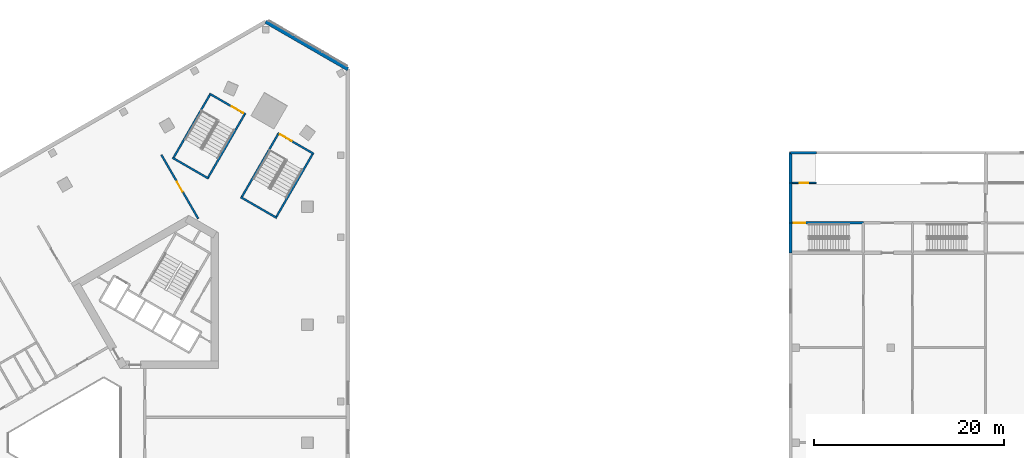
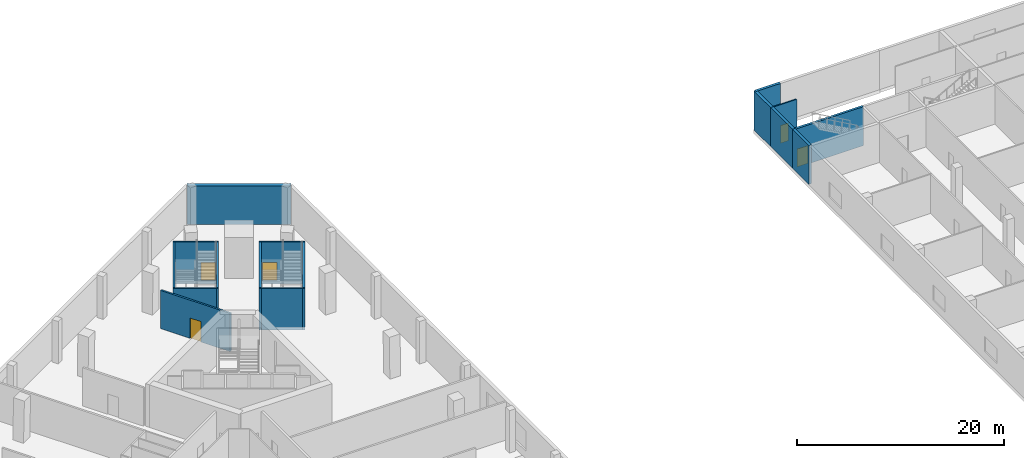
# One storey, part 15 of 36: 16 walls, 5 doors, 5 openings.
"""IFC4 building model written with IfcOpenShell, lengths in metres."""

import ifcopenshell
import ifcopenshell.guid

model = None  # the IFC model being written
_history = None  # IfcOwnerHistory: only IFC2X3 demands one
_inside = {}  # id of a spatial element -> (the spatial element, [elements in it])
_under = {}  # id of a project, library or spatial element -> (it, [spatial elements below it])
_declared = {}  # id of a project -> (the project, [libraries it declares])
_typed = {}  # id of a type object -> (the type object, [elements of that type])
_made_of = {}  # id of a material, layer set ... -> (it, [elements and type objects made of it])


def new_model(schema):
    """Start an empty IFC model of exactly this schema.

    Asked for "IFC4X3", IfcOpenShell would pick the latest addendum, in which some entities
    have other attributes; the version numbers below select the first issue.
    IFC2X3 requires an IfcOwnerHistory on every rooted entity: one is made here for all.
    """
    global model, _history
    if schema == "IFC4X3":
        model = ifcopenshell.file(schema_version=(4, 3, 0, 0))
    else:
        model = ifcopenshell.file(schema=schema)
    _inside.clear()
    _under.clear()
    _declared.clear()
    _typed.clear()
    _made_of.clear()
    _history = None
    if model.schema == "IFC2X3":
        org = make("IfcOrganization", Name="unknown")
        user = make(
            "IfcPersonAndOrganization",
            ThePerson=make("IfcPerson", FamilyName="unknown"),
            TheOrganization=org,
        )
        app = make(
            "IfcApplication",
            ApplicationDeveloper=org,
            Version="unknown",
            ApplicationFullName="unknown",
            ApplicationIdentifier="unknown",
        )
        _history = make(
            "IfcOwnerHistory",
            OwningUser=user,
            OwningApplication=app,
            ChangeAction="ADDED",
            CreationDate=0,
        )
    return model


def make(cls, **values):
    """One entity of the class cls with the attributes given. An attribute that is None is left unset."""
    return model.create_entity(
        cls, **{name: value for name, value in values.items() if value is not None}
    )


def rooted(cls, **values):
    """An entity with a GlobalId (a new one), such as an element, a storey or a relation."""
    return make(cls, GlobalId=ifcopenshell.guid.new(), OwnerHistory=_history, **values)


def si_unit(unit_type, name, prefix=None):
    """IfcSIUnit, for example si_unit("LENGTHUNIT", "METRE", prefix="MILLI")."""
    return make("IfcSIUnit", UnitType=unit_type, Prefix=prefix, Name=name)


def assignment(units):
    """IfcUnitAssignment: the units of a project."""
    return None if units is None else make("IfcUnitAssignment", Units=units)


def point(xyz):
    """IfcCartesianPoint."""
    return None if xyz is None else make("IfcCartesianPoint", Coordinates=xyz)


def direction(xyz):
    """IfcDirection."""
    return None if xyz is None else make("IfcDirection", DirectionRatios=xyz)


def frame(location, z_axis=None, x_axis=None):
    """IfcAxis2Placement3D, a coordinate frame: its origin and axes. An axis left out is left unset."""
    return make(
        "IfcAxis2Placement3D",
        Location=point(location),
        Axis=direction(z_axis),
        RefDirection=direction(x_axis),
    )


def frame_2d(location, x_axis=None):
    """IfcAxis2Placement2D, a coordinate frame in the plane: its origin and x axis."""
    return make(
        "IfcAxis2Placement2D", Location=point(location), RefDirection=direction(x_axis)
    )


def origin():
    """The frame at (0, 0, 0) with its axes left unset."""
    return frame((0.0, 0.0, 0.0))


def place(relative_to, where):
    """IfcLocalPlacement: puts the frame where relative to a parent placement (None: the world)."""
    return make(
        "IfcLocalPlacement", PlacementRelTo=relative_to, RelativePlacement=where
    )


def context(
    kind, dimensions, precision=None, world=None, true_north=None, identifier=None
):
    """IfcGeometricRepresentationContext, for example the 3D "Model" context."""
    return make(
        "IfcGeometricRepresentationContext",
        ContextIdentifier=identifier,
        ContextType=kind,
        CoordinateSpaceDimension=dimensions,
        Precision=precision,
        WorldCoordinateSystem=world,
        TrueNorth=true_north,
    )


def subcontext(parent, identifier, kind, view, scale=None):
    """IfcGeometricRepresentationSubContext, for example "Body" below "Model"."""
    return make(
        "IfcGeometricRepresentationSubContext",
        ContextIdentifier=identifier,
        ContextType=kind,
        ParentContext=parent,
        TargetScale=scale,
        TargetView=view,
    )


def project(units=None, contexts=None):
    """IfcProject with its units and contexts."""
    return rooted(
        "IfcProject",
        Name="project",
        RepresentationContexts=contexts,
        UnitsInContext=assignment(units),
    )


def spatial(cls, under=None, at=None, **own):
    """A site, building, storey or space (cls), placed at a placement, below another one or the project."""
    s = rooted(cls, ObjectPlacement=at, **own)
    if under is not None:
        _under.setdefault(under.id(), (under, []))[1].append(s)
    return s


def profile(cls, at=None, kind="AREA", **sizes):
    """A parametric profile (cls). Its sizes go by their IFC names, for example OverallWidth=200.0."""
    return make(cls, ProfileType=kind, Position=at, **sizes)


def rectangle(**sizes):
    """IfcRectangleProfileDef."""
    return profile("IfcRectangleProfileDef", **sizes)


def extrude(swept, where, along, depth):
    """IfcExtrudedAreaSolid: the profile swept, set in the frame where, extruded along a direction by depth."""
    return make(
        "IfcExtrudedAreaSolid",
        SweptArea=swept,
        Position=where,
        ExtrudedDirection=direction(along),
        Depth=depth,
    )


def shape(context_of_items, identifier, shape_type, items):
    """IfcShapeRepresentation: the items that make up one representation, for example the "Body"."""
    return make(
        "IfcShapeRepresentation",
        ContextOfItems=context_of_items,
        RepresentationIdentifier=identifier,
        RepresentationType=shape_type,
        Items=items,
    )


def material(Name=None, Category=None):
    """IfcMaterial."""
    return make("IfcMaterial", Name=Name, Category=Category)


def layer(
    of_material, thickness, ventilated=None, Name=None, Category=None, Priority=None
):
    """IfcMaterialLayer: one layer of a wall or slab, of a material (None: an air gap)."""
    return make(
        "IfcMaterialLayer",
        Material=of_material,
        LayerThickness=thickness,
        IsVentilated=ventilated,
        Name=Name,
        Category=Category,
        Priority=Priority,
    )


def layer_set(layers, Name=None):
    """IfcMaterialLayerSet."""
    return make("IfcMaterialLayerSet", MaterialLayers=layers, LayerSetName=Name)


def made_of(thing, what):
    """Note that an element or type object is made of a material, layer set ...; save() writes the relation."""
    if what is not None:
        _made_of.setdefault(what.id(), (what, []))[1].append(thing)
    return thing


def type_object(cls, material=None, **own):
    """A type object (cls), such as IfcWallType, which elements share."""
    return made_of(rooted(cls, **own), material)


def element(
    cls,
    number,
    at=None,
    inside=None,
    cuts=None,
    type_object=None,
    material=None,
    context=None,
    identifier="Body",
    shape_type=None,
    held_by="IfcProductDefinitionShape",
    body=None,
    shapes=None,
    **own,
):
    """One element of the class cls, such as IfcWall. Its Tag is "e" and its number.

    at: its placement. inside: the storey or other place that contains it. cuts: it is an
    opening in that element (IfcRelVoidsElement). A single representation is given by context,
    identifier, shape_type and body (its items); several are given by shapes. held_by: the class
    of the entity that holds the representations. save() writes the other relations.
    """
    e = rooted(cls, Tag="e%d" % number, ObjectPlacement=at, **own)
    if body is not None:
        shapes = [shape(context, identifier, shape_type, body)]
    if shapes is not None:
        e.Representation = make(held_by, Representations=shapes)
    if inside is not None:
        _inside.setdefault(inside.id(), (inside, []))[1].append(e)
    if cuts is not None:
        rooted(
            "IfcRelVoidsElement", RelatingBuildingElement=cuts, RelatedOpeningElement=e
        )
    if type_object is not None:
        _typed.setdefault(type_object.id(), (type_object, []))[1].append(e)
    return made_of(e, material)


def fill(opening, filler):
    """IfcRelFillsElement: the door or window that sits in an opening."""
    return rooted(
        "IfcRelFillsElement",
        RelatingOpeningElement=opening,
        RelatedBuildingElement=filler,
    )


def aggregate(whole, parts):
    """IfcRelAggregates: a whole, such as a stair, and the parts it consists of."""
    return rooted("IfcRelAggregates", RelatingObject=whole, RelatedObjects=parts)


def save(model, path):
    """Write the relations noted so far, then the file.

    IfcRelAggregates (storeys below a building ...), IfcRelContainedInSpatialStructure (elements
    in a storey), IfcRelDefinesByType, IfcRelAssociatesMaterial and IfcRelDeclares: one each for
    every whole, place, type object, material and project.
    """
    for whole, parts in _under.values():
        aggregate(whole, parts)
    for where, things in _inside.values():
        rooted(
            "IfcRelContainedInSpatialStructure",
            RelatedElements=things,
            RelatingStructure=where,
        )
    for kind, things in _typed.values():
        rooted("IfcRelDefinesByType", RelatedObjects=things, RelatingType=kind)
    for what, things in _made_of.values():
        rooted("IfcRelAssociatesMaterial", RelatedObjects=things, RelatingMaterial=what)
    for by, libraries in _declared.values():
        rooted("IfcRelDeclares", RelatingContext=by, RelatedDefinitions=libraries)
    model.write(path)


model = new_model("IFC4")

# Units and contexts
model_context = context("Model", 3, precision=1e-05, world=origin(), true_north=direction((0.0, 1.0)))
body_context = subcontext(model_context, "Body", "Model", "MODEL_VIEW")
ifc_project = project(units=[si_unit("LENGTHUNIT", "METRE"), si_unit("AREAUNIT", "SQUARE_METRE"), si_unit("VOLUMEUNIT", "CUBIC_METRE"), si_unit("PLANEANGLEUNIT", "RADIAN"), si_unit("MASSUNIT", "GRAM", prefix="KILO")], contexts=[model_context])

# Site, building, storey
site_placement = place(None, origin())
site = spatial("IfcSite", under=ifc_project, at=site_placement, CompositionType="ELEMENT")
building_placement = place(site_placement, origin())
building = spatial("IfcBuilding", under=site, at=building_placement, Name="Jabali Bay Hotel Tower and Convention Centre", CompositionType="ELEMENT")
storey_placement = place(building_placement, frame((0.0, 0.0, 20.39990234375)))
storey = spatial("IfcBuildingStorey", under=building, at=storey_placement, Name="L03", CompositionType="ELEMENT", Elevation=20.39990234375)

# Walls
ifc_material_1 = material(Name="Concrete C40", Category="concrete")
ifc_layer_1 = layer(ifc_material_1, 0.300048828125)
ifc_layer_set_1 = layer_set([ifc_layer_1], Name="Concrete C40")
wall_type_1 = type_object("IfcWallType", Name="CC External Wall 300", PredefinedType="SOLIDWALL", material=ifc_layer_set_1)
wall_1_placement = place(storey_placement, frame((150.14990234375, 110.550048828125, 0.0), z_axis=(0.0, 0.0, 1.0), x_axis=(1.0, 0.0, 0.0)))
element("IfcWall", 1, at=wall_1_placement, inside=storey, type_object=wall_type_1, Name="CC wall 165", PredefinedType="SOLIDWALL", context=body_context, shape_type="SweptSolid", body=[
    extrude(rectangle(XDim=2.72509765625, YDim=0.300048828125, at=frame_2d((1.362548828125, 0.0))), origin(), (0.0, 0.0, 1.0), 4.590087890625),
])
wall_2_placement = place(storey_placement, frame((150.14990234375, 107.375, 0.0), z_axis=(0.0, 0.0, 1.0), x_axis=(0.0, 1.0, 0.0)))
element("IfcWall", 2, at=wall_2_placement, inside=storey, type_object=wall_type_1, Name="CC wall 166", PredefinedType="SOLIDWALL", context=body_context, shape_type="SweptSolid", body=[
    extrude(rectangle(XDim=3.175048828125, YDim=0.300048828125, at=frame_2d((1.58740234375, 0.0))), origin(), (0.0, 0.0, 1.0), 4.590087890625),
])
wall_3_placement = place(storey_placement, frame((150.14990234375, 100.0, 0.0), z_axis=(0.0, 0.0, 1.0), x_axis=(0.0, 1.0, 0.0)))
element("IfcWall", 3, at=wall_3_placement, inside=storey, type_object=wall_type_1, Name="CC wall 308", PredefinedType="SOLIDWALL", context=body_context, shape_type="SweptSolid", body=[
    extrude(rectangle(XDim=3.14990234375, YDim=0.300048828125, at=frame_2d((1.574951171875, 0.0))), origin(), (0.0, 0.0, 1.0), 4.590087890625),
])
wall_4_placement = place(storey_placement, frame((150.14990234375, 103.14990234375, 0.0), z_axis=(0.0, 0.0, 1.0), x_axis=(0.0, 1.0, 0.0)))
element("IfcWall", 4, at=wall_4_placement, inside=storey, type_object=wall_type_1, Name="CC wall 309", PredefinedType="SOLIDWALL", context=body_context, shape_type="SweptSolid", body=[
    extrude(rectangle(XDim=4.22509765625, YDim=0.300048828125, at=frame_2d((2.112548828125, 0.0))), origin(), (0.0, 0.0, 1.0), 4.590087890625),
])

# Wall, opening, door
ifc_material_2 = material(Name="Blockwork M10", Category="masonry")
ifc_layer_2 = layer(ifc_material_2, 0.14990234375)
ifc_layer_set_2 = layer_set([ifc_layer_2], Name="Blockwork M10")
wall_type_2 = type_object("IfcWallType", Name="CC Partition 150", PredefinedType="PARTITIONING", material=ifc_layer_set_2)
wall_5_placement = place(storey_placement, frame((150.300048828125, 107.375, 0.0), z_axis=(0.0, 0.0, 1.0), x_axis=(1.0, 0.0, 0.0)))
wall_5 = element("IfcWall", 5, at=wall_5_placement, inside=storey, type_object=wall_type_2, Name="CC wall 164", PredefinedType="PARTITIONING", context=body_context, shape_type="SweptSolid", body=[
    extrude(rectangle(XDim=2.574951171875, YDim=0.14990234375, at=frame_2d((1.28759765625, 0.0))), origin(), (0.0, 0.0, 1.0), 4.590087890625),
])
opening_1_placement = place(wall_5_placement, frame((0.800048828125, 0.0, 0.0)))
opening_1 = element("IfcOpeningElement", 6, at=opening_1_placement, cuts=wall_5, Name="Opening CC-D162", PredefinedType="OPENING", context=body_context, shape_type="SweptSolid", body=[
    extrude(rectangle(XDim=0.89990234375, YDim=2.10009765625, at=frame_2d((0.449951171875, 1.050048828125))), frame((0.0, 0.08544921875, 0.0), z_axis=(0.0, -1.0, 0.0), x_axis=(1.0, 0.0, 0.0)), (0.0, 0.0, 1.0), 0.1708984375),
])
ifc_material_3 = material(Name="Timber and steel door set", Category="steel")
door_type_1 = type_object("IfcDoorType", Name="CC Riser Door 900x2100", OperationType="NOTDEFINED", PredefinedType="DOOR", material=ifc_material_3)
door_1_placement = place(opening_1_placement, origin())
door_1 = element("IfcDoor", 7, at=door_1_placement, inside=storey, type_object=door_type_1, Name="CC door CC-D162", OperationType="SINGLE_SWING_RIGHT", OverallHeight=2.10009765625, OverallWidth=0.89990234375, PredefinedType="DOOR", context=body_context, shape_type="SweptSolid", body=[
    extrude(rectangle(XDim=0.89990234375, YDim=2.10009765625, at=frame_2d((0.449951171875, 1.050048828125))), frame((0.0, 0.02490234375, 0.0), z_axis=(0.0, -1.0, 0.0), x_axis=(1.0, 0.0, 0.0)), (0.0, 0.0, 1.0), 0.050048828125),
])
fill(opening_1, door_1)

ifc_layer_3 = layer(ifc_material_1, 0.25)
ifc_layer_set_3 = layer_set([ifc_layer_3], Name="Concrete C40")
wall_type_3 = type_object("IfcWallType", Name="CC Shaft Wall 250", PredefinedType="SHEAR", material=ifc_layer_set_3)
wall_6_placement = place(storey_placement, frame((150.300048828125, 103.14990234375, 0.0), z_axis=(0.0, 0.0, 1.0), x_axis=(1.0, 0.0, 0.0)))
wall_6 = element("IfcWall", 8, at=wall_6_placement, inside=storey, type_object=wall_type_3, Name="CC west core wall", PredefinedType="SHEAR", context=body_context, shape_type="SweptSolid", body=[
    extrude(rectangle(XDim=7.52490234375, YDim=0.25, at=frame_2d((3.762451171875, 0.0))), origin(), (0.0, 0.0, 1.0), 4.590087890625),
])
opening_2_placement = place(wall_6_placement, frame((0.199951171875, 0.0, 0.0)))
opening_2 = element("IfcOpeningElement", 9, at=opening_2_placement, cuts=wall_6, Name="Opening CC-D155", PredefinedType="OPENING", context=body_context, shape_type="SweptSolid", body=[
    extrude(rectangle(XDim=1.199951171875, YDim=2.10009765625, at=frame_2d((0.60009765625, 1.050048828125))), frame((0.0, 0.135498046875, 0.0), z_axis=(0.0, -1.0, 0.0), x_axis=(1.0, 0.0, 0.0)), (0.0, 0.0, 1.0), 0.27099609375),
])
door_type_2 = type_object("IfcDoorType", Name="CC Stair Door 1200x2100", OperationType="NOTDEFINED", PredefinedType="DOOR", material=ifc_material_3)
door_2_placement = place(opening_2_placement, origin())
door_2 = element("IfcDoor", 10, at=door_2_placement, inside=storey, type_object=door_type_2, Name="CC door CC-D155", OperationType="SINGLE_SWING_LEFT", OverallHeight=2.10009765625, OverallWidth=1.199951171875, PredefinedType="DOOR", context=body_context, shape_type="SweptSolid", body=[
    extrude(rectangle(XDim=1.199951171875, YDim=2.10009765625, at=frame_2d((0.60009765625, 1.050048828125))), frame((0.0, 0.02490234375, 0.0), z_axis=(0.0, -1.0, 0.0), x_axis=(1.0, 0.0, 0.0)), (0.0, 0.0, 1.0), 0.050048828125),
])
fill(opening_2, door_2)

ifc_material_4 = material(Name="Plasterboard on steel stud", Category="steel")
ifc_layer_4 = layer(ifc_material_4, 0.199951171875)
ifc_layer_set_4 = layer_set([ifc_layer_4], Name="Plasterboard on steel stud")
wall_type_4 = type_object("IfcWallType", Name="Partition 200 party", PredefinedType="PARTITIONING", material=ifc_layer_set_4)
wall_7_placement = place(storey_placement, frame((87.713623046875, 103.608154296875, 0.0), z_axis=(0.0, 0.0, 1.0), x_axis=(-0.500002221596, 0.866024121142, 0.0)))
wall_7 = element("IfcWall", 11, at=wall_7_placement, inside=storey, type_object=wall_type_4, Name="Partition P01 L03 016", PredefinedType="PARTITIONING", context=body_context, shape_type="SweptSolid", body=[
    extrude(rectangle(XDim=7.75537109375, YDim=0.199951171875, at=frame_2d((3.877685546875, 0.0))), origin(), (0.0, 0.0, 1.0), 4.5),
])
opening_3_placement = place(wall_7_placement, frame((3.278076171875, 0.0, 0.0)))
opening_3 = element("IfcOpeningElement", 12, at=opening_3_placement, cuts=wall_7, Name="Opening 0314", PredefinedType="OPENING", context=body_context, shape_type="SweptSolid", body=[
    extrude(rectangle(XDim=1.199951171875, YDim=2.39990234375, at=frame_2d((0.60009765625, 1.199951171875))), frame((0.0, 0.1103515625, 0.0), z_axis=(0.0, -1.0, 0.0), x_axis=(1.0, 0.0, 0.0)), (0.0, 0.0, 1.0), 0.220947265625),
])
ifc_material_5 = material(Name="Timber", Category="wood")
door_type_3 = type_object("IfcDoorType", Name="Public room door 1200 x 2400", OperationType="NOTDEFINED", PredefinedType="NOTDEFINED", material=ifc_material_5)
door_3_placement = place(opening_3_placement, origin())
door_3 = element("IfcDoor", 13, at=door_3_placement, inside=storey, type_object=door_type_3, Name="Door 0314", OperationType="SINGLE_SWING_RIGHT", OverallHeight=2.39990234375, OverallWidth=1.199951171875, PredefinedType="NOTDEFINED", context=body_context, shape_type="SweptSolid", body=[
    extrude(rectangle(XDim=1.199951171875, YDim=2.39990234375, at=frame_2d((0.60009765625, 1.199951171875))), frame((0.0, 0.02490234375, 0.0), z_axis=(0.0, -1.0, 0.0), x_axis=(1.0, 0.0, 0.0)), (0.0, 0.0, 1.0), 0.050048828125),
])
fill(opening_3, door_3)

# Wall
ifc_layer_5 = layer(ifc_material_1, 0.39990234375)
ifc_layer_set_5 = layer_set([ifc_layer_5], Name="Concrete C40")
wall_type_5 = type_object("IfcWallType", Name="Podium external wall 400", PredefinedType="SOLIDWALL", material=ifc_layer_set_5)
wall_8_placement = place(storey_placement, frame((94.83984375, 124.363525390625, 0.0), z_axis=(0.0, 0.0, 1.0), x_axis=(0.866022959057, -0.500004234368, 0.0)))
element("IfcWall", 14, at=wall_8_placement, inside=storey, type_object=wall_type_5, Name="External wall north-east chamfer L03", PredefinedType="SOLIDWALL", context=body_context, shape_type="SweptSolid", body=[
    extrude(rectangle(XDim=10.0, YDim=0.39990234375, at=frame_2d((5.0, 0.0))), origin(), (0.0, 0.0, 1.0), 4.5),
])

# Wall, opening, door
ifc_layer_6 = layer(ifc_material_1, 0.199951171875)
ifc_layer_set_6 = layer_set([ifc_layer_6], Name="Concrete C40")
wall_type_6 = type_object("IfcWallType", Name="Podium stair enclosure wall 200", PredefinedType="SOLIDWALL", material=ifc_layer_set_6)
wall_9_placement = place(storey_placement, frame((92.711181640625, 114.576904296875, -0.39990234375), z_axis=(0.0, 0.0, 1.0), x_axis=(-0.866032203192, 0.499988222896, 0.0)))
wall_9 = element("IfcWall", 15, at=wall_9_placement, inside=storey, type_object=wall_type_6, Name="Podium stair wall 3.1 L03", PredefinedType="SOLIDWALL", context=body_context, shape_type="SweptSolid", body=[
    extrude(rectangle(XDim=4.39990234375, YDim=0.199951171875, at=frame_2d((2.199951171875, 0.0))), origin(), (0.0, 0.0, 1.0), 4.89990234375),
])
opening_4_placement = place(wall_9_placement, frame((0.300048828125, 0.0, 0.39990234375)))
opening_4 = element("IfcOpeningElement", 16, at=opening_4_placement, cuts=wall_9, Name="Opening D1749", PredefinedType="OPENING", context=body_context, shape_type="SweptSolid", body=[
    extrude(rectangle(XDim=1.39990234375, YDim=2.10009765625, at=frame_2d((0.699951171875, 1.050048828125))), frame((0.0, 0.1103515625, 0.0), z_axis=(0.0, -1.0, 0.0), x_axis=(1.0, 0.0, 0.0)), (0.0, 0.0, 1.0), 0.220947265625),
])
ifc_material_6 = material(Name="Fire-rated steel door", Category="steel")
door_type_4 = type_object("IfcDoorType", Name="Podium stair fire door 1400 x 2100", OperationType="NOTDEFINED", PredefinedType="NOTDEFINED", material=ifc_material_6)
door_4_placement = place(opening_4_placement, origin())
door_4 = element("IfcDoor", 17, at=door_4_placement, inside=storey, type_object=door_type_4, Name="Podium stair fire door D1749", OperationType="SINGLE_SWING_RIGHT", OverallHeight=2.10009765625, OverallWidth=1.39990234375, PredefinedType="NOTDEFINED", context=body_context, shape_type="SweptSolid", body=[
    extrude(rectangle(XDim=1.39990234375, YDim=2.10009765625, at=frame_2d((0.699951171875, 1.050048828125))), frame((0.0, 0.02490234375, 0.0), z_axis=(0.0, -1.0, 0.0), x_axis=(1.0, 0.0, 0.0)), (0.0, 0.0, 1.0), 0.050048828125),
])
fill(opening_4, door_4)

# Walls
wall_10_placement = place(storey_placement, frame((89.037353515625, 116.8134765625, -0.39990234375), z_axis=(0.0, 0.0, 1.0), x_axis=(-0.49999894854, -0.866026010844, 0.0)))
element("IfcWall", 18, at=wall_10_placement, inside=storey, type_object=wall_type_6, Name="Podium stair wall 3.2 L03", PredefinedType="SOLIDWALL", context=body_context, shape_type="SweptSolid", body=[
    extrude(rectangle(XDim=8.0, YDim=0.199951171875, at=frame_2d((4.0, 0.0))), origin(), (0.0, 0.0, 1.0), 4.89990234375),
])
wall_11_placement = place(storey_placement, frame((85.000732421875, 110.021728515625, -0.39990234375), z_axis=(0.0, 0.0, 1.0), x_axis=(0.866032203192, -0.499988222896, 0.0)))
element("IfcWall", 19, at=wall_11_placement, inside=storey, type_object=wall_type_6, Name="Podium stair wall 3.3 L03", PredefinedType="SOLIDWALL", context=body_context, shape_type="SweptSolid", body=[
    extrude(rectangle(XDim=4.39990234375, YDim=0.199951171875, at=frame_2d((2.199951171875, 0.0))), origin(), (0.0, 0.0, 1.0), 4.89990234375),
])
wall_12_placement = place(storey_placement, frame((88.674560546875, 107.78515625, -0.39990234375), z_axis=(0.0, 0.0, 1.0), x_axis=(0.49999894854, 0.866026010844, 0.0)))
element("IfcWall", 20, at=wall_12_placement, inside=storey, type_object=wall_type_6, Name="Podium stair wall 3.4 L03", PredefinedType="SOLIDWALL", context=body_context, shape_type="SweptSolid", body=[
    extrude(rectangle(XDim=8.0, YDim=0.199951171875, at=frame_2d((4.0, 0.0))), origin(), (0.0, 0.0, 1.0), 4.89990234375),
])

# Wall, opening, door
wall_13_placement = place(storey_placement, frame((99.899169921875, 110.4267578125, -0.39990234375), z_axis=(0.0, 0.0, 1.0), x_axis=(-0.866018331238, 0.50001224981, 0.0)))
wall_13 = element("IfcWall", 21, at=wall_13_placement, inside=storey, type_object=wall_type_6, Name="Podium stair wall 4.1 L03", PredefinedType="SOLIDWALL", context=body_context, shape_type="SweptSolid", body=[
    extrude(rectangle(XDim=4.39990234375, YDim=0.199951171875, at=frame_2d((2.199951171875, 0.0))), origin(), (0.0, 0.0, 1.0), 4.89990234375),
])
opening_5_placement = place(wall_13_placement, frame((2.699951171875, 0.0, 0.39990234375)))
opening_5 = element("IfcOpeningElement", 22, at=opening_5_placement, cuts=wall_13, Name="Opening D1754", PredefinedType="OPENING", context=body_context, shape_type="SweptSolid", body=[
    extrude(rectangle(XDim=1.39990234375, YDim=2.10009765625, at=frame_2d((0.699951171875, 1.050048828125))), frame((0.0, 0.1103515625, 0.0), z_axis=(0.0, -1.0, 0.0), x_axis=(1.0, 0.0, 0.0)), (0.0, 0.0, 1.0), 0.220947265625),
])
door_5_placement = place(opening_5_placement, origin())
door_5 = element("IfcDoor", 23, at=door_5_placement, inside=storey, type_object=door_type_4, Name="Podium stair fire door D1754", OperationType="SINGLE_SWING_RIGHT", OverallHeight=2.10009765625, OverallWidth=1.39990234375, PredefinedType="NOTDEFINED", context=body_context, shape_type="SweptSolid", body=[
    extrude(rectangle(XDim=1.39990234375, YDim=2.10009765625, at=frame_2d((0.699951171875, 1.050048828125))), frame((0.0, 0.02490234375, 0.0), z_axis=(0.0, -1.0, 0.0), x_axis=(1.0, 0.0, 0.0)), (0.0, 0.0, 1.0), 0.050048828125),
])
fill(opening_5, door_5)

# Walls
wall_14_placement = place(storey_placement, frame((96.225341796875, 112.663330078125, -0.39990234375), z_axis=(0.0, 0.0, 1.0), x_axis=(-0.49999894854, -0.866026010844, 0.0)))
element("IfcWall", 24, at=wall_14_placement, inside=storey, type_object=wall_type_6, Name="Podium stair wall 4.2 L03", PredefinedType="SOLIDWALL", context=body_context, shape_type="SweptSolid", body=[
    extrude(rectangle(XDim=8.0, YDim=0.199951171875, at=frame_2d((4.0, 0.0))), origin(), (0.0, 0.0, 1.0), 4.89990234375),
])
wall_15_placement = place(storey_placement, frame((92.188720703125, 105.871826171875, -0.39990234375), z_axis=(0.0, 0.0, 1.0), x_axis=(0.866032203192, -0.499988222896, 0.0)))
element("IfcWall", 25, at=wall_15_placement, inside=storey, type_object=wall_type_6, Name="Podium stair wall 4.3 L03", PredefinedType="SOLIDWALL", context=body_context, shape_type="SweptSolid", body=[
    extrude(rectangle(XDim=4.39990234375, YDim=0.199951171875, at=frame_2d((2.199951171875, 0.0))), origin(), (0.0, 0.0, 1.0), 4.89990234375),
])
wall_16_placement = place(storey_placement, frame((95.862548828125, 103.63525390625, -0.39990234375), z_axis=(0.0, 0.0, 1.0), x_axis=(0.49999894854, 0.866026010844, 0.0)))
element("IfcWall", 26, at=wall_16_placement, inside=storey, type_object=wall_type_6, Name="Podium stair wall 4.4 L03", PredefinedType="SOLIDWALL", context=body_context, shape_type="SweptSolid", body=[
    extrude(rectangle(XDim=8.0, YDim=0.199951171875, at=frame_2d((4.0, 0.0))), origin(), (0.0, 0.0, 1.0), 4.89990234375),
])

save(model, "model.ifc")
